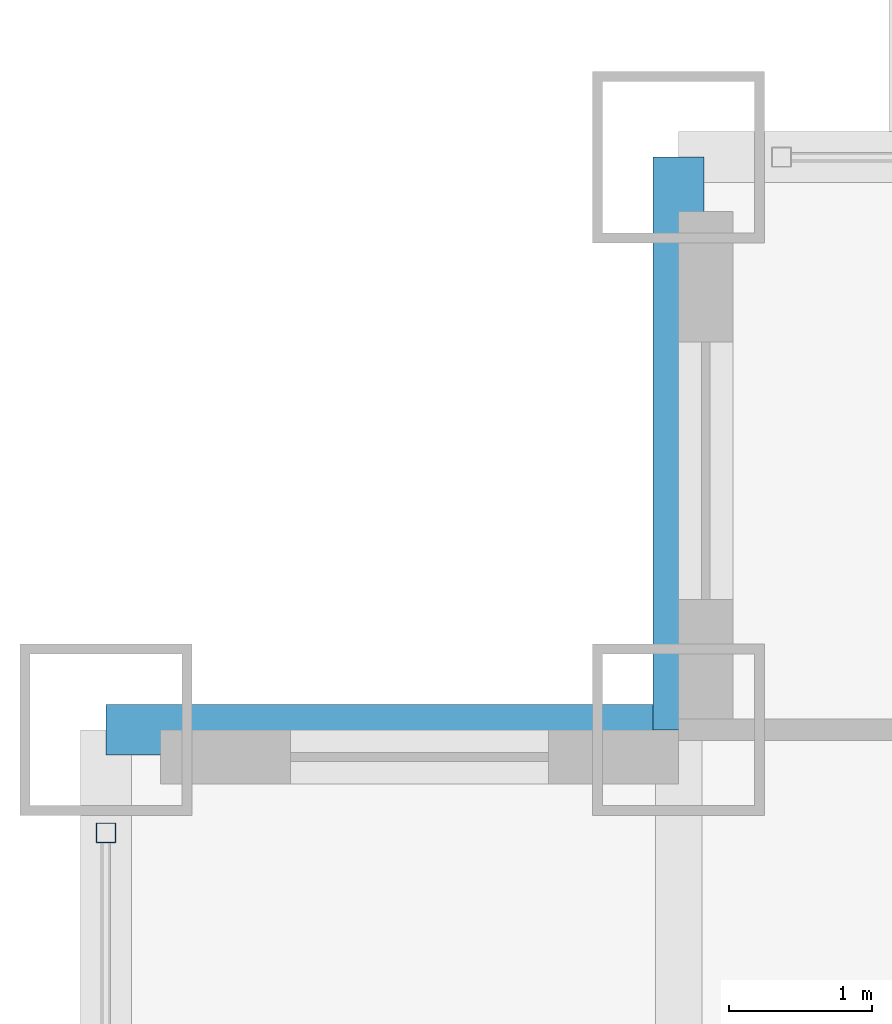
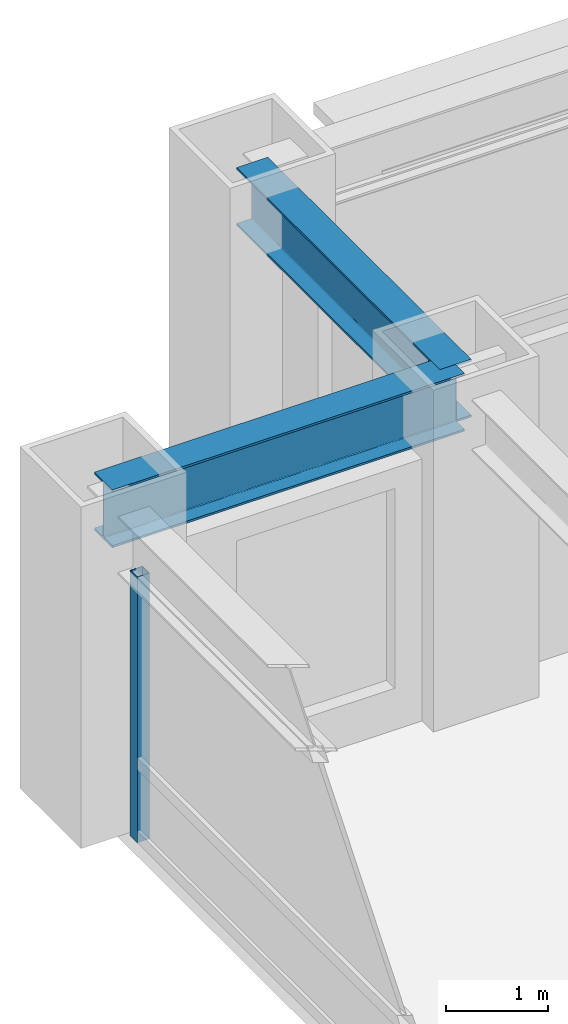
# One storey, part 10 of 32: 2 beams, 1 member, 1 element without a shape of its own.
"""IFC4 building model written with IfcOpenShell, lengths in metres."""

from ifc_helpers import new_model, si_unit, direction, frame, origin, origin_2d, place, context, subcontext, project, spatial, hollow_rectangle, i_section, extrude, source, transform, mapped, material, material_profile, profile_set, type_object, element, aggregate, save


model = new_model("IFC4")

# Units and contexts
model_context = context("Model", 3, precision=1e-05, world=origin(), true_north=direction((0.0, 1.0)))
body_context = subcontext(model_context, "Body", "Model", "MODEL_VIEW")
ifc_project = project(units=[si_unit("LENGTHUNIT", "METRE"), si_unit("AREAUNIT", "SQUARE_METRE"), si_unit("VOLUMEUNIT", "CUBIC_METRE"), si_unit("PLANEANGLEUNIT", "RADIAN"), si_unit("MASSUNIT", "GRAM", prefix="KILO")], contexts=[model_context])

# Site, building, storey
site_placement = place(None, origin())
site = spatial("IfcSite", under=ifc_project, at=site_placement, CompositionType="ELEMENT")
building_placement = place(site_placement, origin())
building = spatial("IfcBuilding", under=site, at=building_placement, Name="Khorayat Bourse Tower", CompositionType="ELEMENT")
storey_placement = place(building_placement, frame((0.0, 0.0, 136.5)))
storey = spatial("IfcBuildingStorey", under=building, at=storey_placement, Name="L31", CompositionType="ELEMENT", Elevation=136.5)

# Beams
ifc_material_1 = material(Name="Steel ASTM A992 Grade 50", Category="steel")
ifc_material_profile_1 = material_profile(ifc_material_1, i_section(OverallWidth=0.35498046875, OverallDepth=0.695068359375, WebThickness=0.015380859375, FlangeThickness=0.02490234375, FilletRadius=0.01806640625, at=origin_2d()), Name="W690X217")
ifc_profile_set_1 = profile_set([ifc_material_profile_1], Name="Steel ASTM A992 Grade 50")
beam_type = type_object("IfcBeamType", Name="BM-SPAN-690", PredefinedType="SPANDREL", material=ifc_profile_set_1)
shared_shape_1 = source(origin(), body_context, "Body", "SweptSolid", [
    extrude(i_section(OverallWidth=0.35498046875, OverallDepth=0.695068359375, WebThickness=0.015380859375, FlangeThickness=0.02490234375, FilletRadius=0.01806640625, at=origin_2d()), origin(), (0.0, 0.0, 1.0), 4.0),
])
for number, where, z_axis, x_axis, name in (
    (1, (-28.0, 28.0, 3.492431640625), (0.0, 1.0, 0.0), (-1.0, 0.0, 0.0), "L31 BM-SPAN-690 BM-L31-SPN-052"),
    (2, (-32.0, 28.0, 3.492431640625), (1.0, 0.0, 0.0), (0.0, 1.0, 0.0), "L31 BM-SPAN-690 BM-L31-SPN-053"),
):
    element("IfcBeam", number, at=place(storey_placement, frame(where, z_axis=z_axis, x_axis=x_axis)), inside=storey, type_object=beam_type, Name=name, PredefinedType="SPANDREL", context=body_context, shape_type="MappedRepresentation", body=[
        mapped(shared_shape_1, transform((0.0, 0.0, 0.0), scale=1.0)),
    ])

# Curtain wall, member
ifc_material_2 = material(Name="Aluminium EN AW-6063 T6", Category="aluminium")
curtain_wall_type = type_object("IfcCurtainWallType", Name="CW-SYS-02", PredefinedType="NOTDEFINED", material=ifc_material_2)
curtain_wall_placement = place(storey_placement, origin())
curtain_wall = element("IfcCurtainWall", 3, at=curtain_wall_placement, inside=storey, type_object=curtain_wall_type, Name="L31 Curtain Wall CW-L31-W1", PredefinedType="NOTDEFINED")
ifc_material_profile_2 = material_profile(ifc_material_2, hollow_rectangle(XDim=0.139892578125, YDim=0.139892578125, WallThickness=0.006103515625, at=origin_2d()), Name="ALU 140x140x6")
ifc_profile_set_2 = profile_set([ifc_material_profile_2], Name="Aluminium EN AW-6063 T6")
member_type = type_object("IfcMemberType", Name="CWM-VERT-140", PredefinedType="MULLION", material=ifc_profile_set_2)
shared_shape_2 = source(origin(), body_context, "Body", "SweptSolid", [
    extrude(hollow_rectangle(XDim=0.139892578125, YDim=0.139892578125, WallThickness=0.006103515625, at=origin_2d()), origin(), (0.0, 0.0, 1.0), 3.18994140625),
])
member_placement = place(storey_placement, frame((-32.0, 27.280029296875, 0.0), z_axis=(0.0, 0.0, 1.0), x_axis=(-1.0, 0.0, 0.0)))
member = element("IfcMember", 4, at=member_placement, type_object=member_type, Name="CW-L31-W1 Vertical Mullion 3", PredefinedType="MULLION", context=body_context, shape_type="MappedRepresentation", body=[
    mapped(shared_shape_2, transform((0.0, 0.0, 0.0), scale=1.0)),
])
aggregate(curtain_wall, [member])

save(model, "model.ifc")
